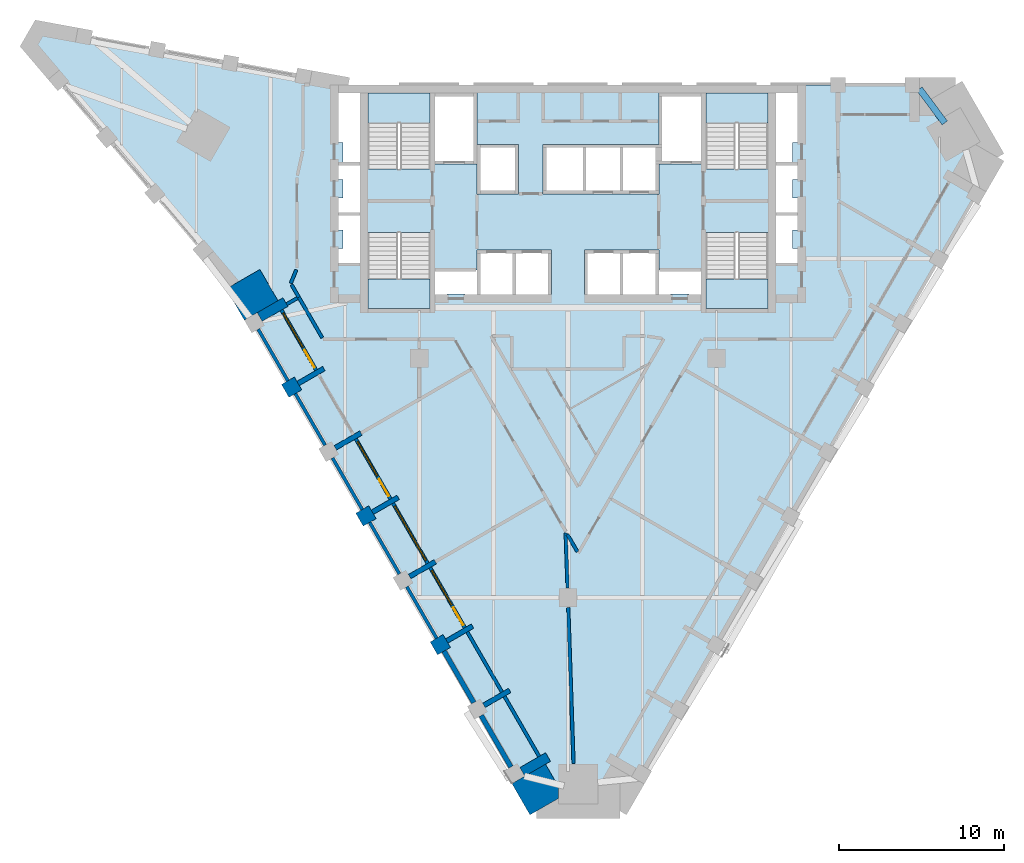
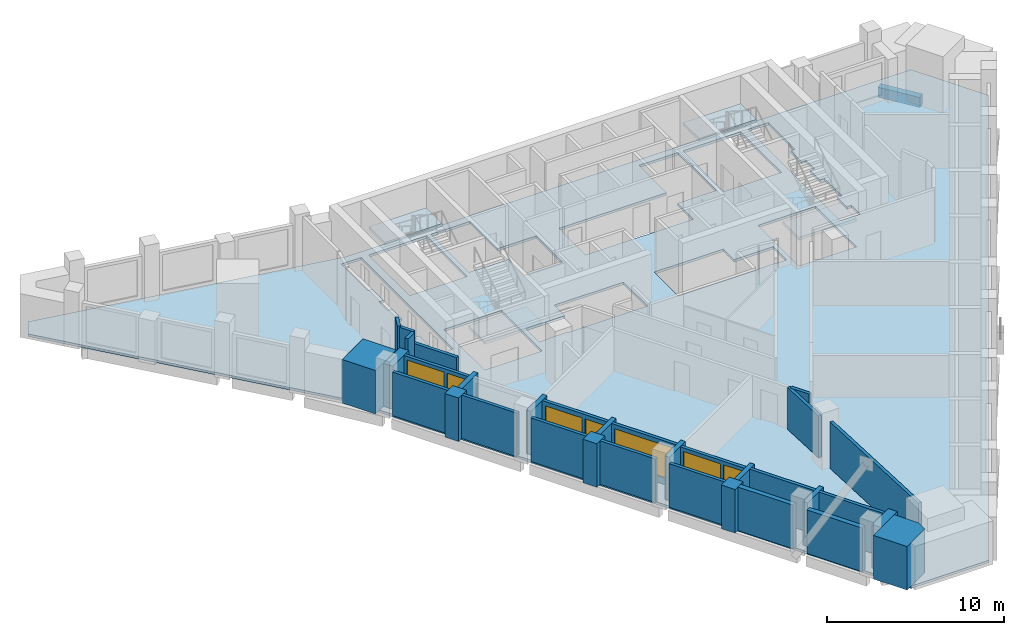
# One storey, part 2 of 9: 33 walls, 5 slabs, 4 windows, 3 doors, 1 beam, 7 openings, 4 elements without a shape of their own.
"""IFC4 building model written with IfcOpenShell, lengths in metres."""

from ifc_helpers import new_model, si_unit, direction, frame, frame_2d, origin, origin_2d, place, context, subcontext, project, spatial, polyline, rectangle, outline, extrude, material, layer, layer_set, material_profile, profile_set, type_object, element, fill, aggregate, save


model = new_model("IFC4")

# Units and contexts
model_context = context("Model", 3, precision=1e-05, world=origin(), true_north=direction((0.0, 1.0)))
body_context = subcontext(model_context, "Body", "Model", "MODEL_VIEW")
ifc_project = project(units=[si_unit("LENGTHUNIT", "METRE"), si_unit("AREAUNIT", "SQUARE_METRE"), si_unit("VOLUMEUNIT", "CUBIC_METRE"), si_unit("PLANEANGLEUNIT", "RADIAN"), si_unit("MASSUNIT", "GRAM", prefix="KILO")], contexts=[model_context])

# Site, building, storey
site_placement = place(None, origin())
site = spatial("IfcSite", under=ifc_project, at=site_placement, CompositionType="ELEMENT")
building_placement = place(site_placement, origin())
building = spatial("IfcBuilding", under=site, at=building_placement, Name="Calabash Gate Tower", CompositionType="ELEMENT")
storey_placement = place(building_placement, frame((0.0, 0.0, 219.800048828125)))
storey = spatial("IfcBuildingStorey", under=building, at=storey_placement, Name="L52", CompositionType="ELEMENT", Elevation=219.800048828125)

# Beam
ifc_material_1 = material(Name="Concrete C50/60", Category="concrete")
ifc_material_profile = material_profile(ifc_material_1, rectangle(XDim=0.39990234375, YDim=0.699951171875, at=origin_2d()))
ifc_profile_set = profile_set([ifc_material_profile], Name="Concrete C50/60")
beam_type = type_object("IfcBeamType", Name="Edge beam RC 400x700 Concrete C50/60", PredefinedType="BEAM", material=ifc_profile_set)
beam_placement = place(storey_placement, frame((22.81689453125, 16.75, -0.52001953125), z_axis=(-0.598451550505, 0.801158999012, 0.0), x_axis=(-0.801158999012, -0.598451550505, 0.0)))
element("IfcBeam", 1, at=beam_placement, inside=storey, type_object=beam_type, Name="Edge beam L52 12", PredefinedType="BEAM", context=body_context, shape_type="SweptSolid", body=[
    extrude(rectangle(XDim=0.39990234375, YDim=0.699951171875, at=origin_2d()), origin(), (0.0, 0.0, 1.0), 2.574951171875),
])

# Slab
ifc_material_2 = material(Name="Concrete C40/50", Category="concrete")
ifc_layer_1 = layer(ifc_material_2, 0.169921875)
ifc_layer_set_1 = layer_set([ifc_layer_1], Name="Composite floor slab 170 Concrete C40/50")
slab_type_1 = type_object("IfcSlabType", Name="Composite floor slab 170 Concrete C40/50", PredefinedType="FLOOR", material=ifc_layer_set_1)
slab_1_placement = place(storey_placement, frame((0.0, 0.0, -0.170166015625)))
element("IfcSlab", 2, at=slab_1_placement, inside=storey, type_object=slab_type_1, Name="Floor slab L52", PredefinedType="FLOOR", context=body_context, shape_type="SweptSolid", body=[
    extrude(outline(polyline([(3.157958984375, -24.915283203125), (-1.906005859375, -24.915283203125), (-20.291015625, 6.92822265625), (-32.620361328125, 21.43115234375), (-32.015625, 22.478515625), (-13.291015625, 19.052490234375), (23.478759765625, 19.052490234375), (26.0107421875, 14.6669921875), (3.157958984375, -24.915283203125)]), holes=[polyline([(-7.324951171875, 6.3525390625), (-7.324951171875, 6.402587890625), (-6.22509765625, 6.402587890625), (-6.22509765625, 6.3525390625), (-5.5, 6.3525390625), (-3.25, 6.3525390625), (-1.0, 6.3525390625), (-1.0, 9.052490234375), (-3.25, 9.052490234375), (-5.5, 9.052490234375), (-5.5, 7.8525390625), (-8.050048828125, 7.8525390625), (-8.050048828125, 6.3525390625), (-7.324951171875, 6.3525390625)]), polyline([(8.050048828125, 6.3525390625), (8.050048828125, 7.8525390625), (5.5, 7.8525390625), (5.5, 9.052490234375), (3.25, 9.052490234375), (1.0, 9.052490234375), (1.0, 6.3525390625), (3.25, 6.3525390625), (5.5, 6.3525390625), (6.22509765625, 6.3525390625), (6.22509765625, 6.402587890625), (7.324951171875, 6.402587890625), (7.324951171875, 6.3525390625), (8.050048828125, 6.3525390625)]), polyline([(-8.050048828125, 18.552490234375), (-8.050048828125, 14.252685546875), (-5.5, 14.252685546875), (-5.5, 12.45263671875), (-3.0, 12.45263671875), (-3.0, 15.45263671875), (-5.5, 15.45263671875), (-5.5, 18.552490234375), (-8.050048828125, 18.552490234375)]), polyline([(5.5, 14.252685546875), (8.050048828125, 14.252685546875), (8.050048828125, 18.552490234375), (5.5, 18.552490234375), (5.5, 15.45263671875), (3.25, 15.45263671875), (1.0, 15.45263671875), (-1.5, 15.45263671875), (-1.5, 12.45263671875), (1.0, 12.45263671875), (3.25, 12.45263671875), (5.5, 12.45263671875), (5.5, 14.252685546875)]), polyline([(-12.10009765625, 13.95263671875), (-8.35009765625, 13.95263671875), (-8.35009765625, 18.552490234375), (-12.10009765625, 18.552490234375), (-12.10009765625, 13.95263671875)]), polyline([(-8.35009765625, 5.502685546875), (-8.35009765625, 10.1025390625), (-12.10009765625, 10.1025390625), (-12.10009765625, 5.502685546875), (-8.35009765625, 5.502685546875)]), polyline([(12.10009765625, 18.552490234375), (8.35009765625, 18.552490234375), (8.35009765625, 13.95263671875), (12.10009765625, 13.95263671875), (12.10009765625, 18.552490234375)]), polyline([(8.35009765625, 10.1025390625), (8.35009765625, 5.502685546875), (12.10009765625, 5.502685546875), (12.10009765625, 10.1025390625), (8.35009765625, 10.1025390625)]), polyline([(-13.89990234375, 8.1826171875), (-12.60009765625, 8.1826171875), (-12.60009765625, 11.232666015625), (-12.60009765625, 14.28271484375), (-12.60009765625, 18.552490234375), (-13.89990234375, 18.552490234375), (-13.89990234375, 15.550048828125), (-13.60009765625, 15.550048828125), (-13.60009765625, 14.28271484375), (-13.89990234375, 14.28271484375), (-13.89990234375, 13.3076171875), (-13.60009765625, 13.3076171875), (-13.60009765625, 12.20751953125), (-13.89990234375, 12.20751953125), (-13.89990234375, 11.232666015625), (-13.89990234375, 10.257568359375), (-13.60009765625, 10.257568359375), (-13.60009765625, 9.15771484375), (-13.89990234375, 9.15771484375), (-13.89990234375, 8.1826171875)]), polyline([(13.60009765625, 9.15771484375), (13.60009765625, 10.257568359375), (13.89990234375, 10.257568359375), (13.89990234375, 11.232666015625), (13.89990234375, 12.20751953125), (13.60009765625, 12.20751953125), (13.60009765625, 13.3076171875), (13.89990234375, 13.3076171875), (13.89990234375, 14.28271484375), (13.60009765625, 14.28271484375), (13.60009765625, 15.550048828125), (13.89990234375, 15.550048828125), (13.89990234375, 18.552490234375), (12.60009765625, 18.552490234375), (12.60009765625, 14.28271484375), (12.60009765625, 11.232666015625), (12.60009765625, 8.1826171875), (13.89990234375, 8.1826171875), (13.89990234375, 9.15771484375), (13.60009765625, 9.15771484375)])]), origin(), (0.0, 0.0, 1.0), 0.170166015625),
])

# Stair, slab
ifc_material_3 = material(Name="Concrete C40/50", Category="concrete")
stair_type = type_object("IfcStairType", Name="Exit stair 22 risers of 177.3 mm", PredefinedType="HALF_TURN_STAIR", material=ifc_material_3)
stair_1_placement = place(storey_placement, origin())
stair_1 = element("IfcStair", 3, at=stair_1_placement, inside=storey, type_object=stair_type, Name="L52 Exit stair ST1", PredefinedType="HALF_TURN_STAIR")
ifc_material_4 = material(Name="Concrete C40/50", Category="concrete")
ifc_layer_2 = layer(ifc_material_4, 0.199951171875)
ifc_layer_set_2 = layer_set([ifc_layer_2], Name="Stair landing SL200")
slab_type_2 = type_object("IfcSlabType", Name="Stair landing SL200", PredefinedType="LANDING", material=ifc_layer_set_2)
slab_2_placement = place(storey_placement, frame((0.0, 0.0, 1.75)))
slab_2 = element("IfcSlab", 4, at=slab_2_placement, type_object=slab_type_2, Name="ST1 landing 1", PredefinedType="LANDING", context=body_context, shape_type="SweptSolid", body=[
    extrude(outline(polyline([(-8.35009765625, 16.74267578125), (-8.35009765625, 18.552490234375), (-12.10009765625, 18.552490234375), (-12.10009765625, 16.74267578125), (-8.35009765625, 16.74267578125)])), origin(), (0.0, 0.0, 1.0), 0.199951171875),
])
aggregate(stair_1, [slab_2])

stair_2_placement = place(storey_placement, origin())
stair_2 = element("IfcStair", 5, at=stair_2_placement, inside=storey, type_object=stair_type, Name="L52 Exit stair ST2", PredefinedType="HALF_TURN_STAIR")
slab_3_placement = place(storey_placement, frame((0.0, 0.0, 1.75)))
slab_3 = element("IfcSlab", 6, at=slab_3_placement, type_object=slab_type_2, Name="ST2 landing 1", PredefinedType="LANDING", context=body_context, shape_type="SweptSolid", body=[
    extrude(outline(polyline([(-12.10009765625, 7.3125), (-12.10009765625, 5.502685546875), (-8.35009765625, 5.502685546875), (-8.35009765625, 7.3125), (-12.10009765625, 7.3125)])), origin(), (0.0, 0.0, 1.0), 0.199951171875),
])
aggregate(stair_2, [slab_3])

stair_3_placement = place(storey_placement, origin())
stair_3 = element("IfcStair", 7, at=stair_3_placement, inside=storey, type_object=stair_type, Name="L52 Exit stair ST3", PredefinedType="HALF_TURN_STAIR")
slab_4_placement = place(storey_placement, frame((0.0, 0.0, 1.75)))
slab_4 = element("IfcSlab", 8, at=slab_4_placement, type_object=slab_type_2, Name="ST3 landing 1", PredefinedType="LANDING", context=body_context, shape_type="SweptSolid", body=[
    extrude(outline(polyline([(12.10009765625, 16.74267578125), (12.10009765625, 18.552490234375), (8.35009765625, 18.552490234375), (8.35009765625, 16.74267578125), (12.10009765625, 16.74267578125)])), origin(), (0.0, 0.0, 1.0), 0.199951171875),
])
aggregate(stair_3, [slab_4])

stair_4_placement = place(storey_placement, origin())
stair_4 = element("IfcStair", 9, at=stair_4_placement, inside=storey, type_object=stair_type, Name="L52 Exit stair ST4", PredefinedType="HALF_TURN_STAIR")
slab_5_placement = place(storey_placement, frame((0.0, 0.0, 1.75)))
slab_5 = element("IfcSlab", 10, at=slab_5_placement, type_object=slab_type_2, Name="ST4 landing 1", PredefinedType="LANDING", context=body_context, shape_type="SweptSolid", body=[
    extrude(outline(polyline([(8.35009765625, 7.3125), (8.35009765625, 5.502685546875), (12.10009765625, 5.502685546875), (12.10009765625, 7.3125), (8.35009765625, 7.3125)])), origin(), (0.0, 0.0, 1.0), 0.199951171875),
])
aggregate(stair_4, [slab_5])

# Walls
ifc_material_5 = material(Name="Terracotta brick masonry, exposed face", Category="masonry")
ifc_layer_3 = layer(ifc_material_5, 2.35009765625)
ifc_layer_set_3 = layer_set([ifc_layer_3], Name="Brick corner mass wall 2350")
wall_type_1 = type_object("IfcWallType", Name="Brick corner mass wall 2350", PredefinedType="SOLIDWALL", material=ifc_layer_set_3)
wall_1_placement = place(storey_placement, origin())
element("IfcWall", 11, at=wall_1_placement, inside=storey, type_object=wall_type_1, Name="Brick corner pier S15 1", PredefinedType="SOLIDWALL", context=body_context, shape_type="SweptSolid", body=[
    extrude(outline(polyline([(-19.588134765625, 4.81103515625), (-17.552978515625, 5.986083984375), (-18.6455078125, 7.878173828125), (-20.6806640625, 6.703125), (-19.588134765625, 4.81103515625)])), origin(), (0.0, 0.0, 1.0), 3.0),
])
wall_2_placement = place(storey_placement, origin())
element("IfcWall", 12, at=wall_2_placement, inside=storey, type_object=wall_type_1, Name="Brick corner pier S15 2a", PredefinedType="SOLIDWALL", context=body_context, shape_type="SweptSolid", body=[
    extrude(outline(polyline([(-0.573974609375, -23.422607421875), (-1.35302734375, -22.0732421875), (-3.38818359375, -23.248046875), (-2.2958984375, -25.14013671875), (-0.573974609375, -24.146240234375), (-0.573974609375, -23.422607421875)])), origin(), (0.0, 0.0, 1.0), 3.0),
])
ifc_material_6 = material(Name="Terracotta brick masonry, exposed face", Category="masonry")
ifc_layer_4 = layer(ifc_material_6, 0.89990234375)
ifc_layer_set_4 = layer_set([ifc_layer_4], Name="Brick end wall 900")
wall_type_2 = type_object("IfcWallType", Name="Brick end wall 900", PredefinedType="SOLIDWALL", material=ifc_layer_set_4)
for number, where, z_axis, x_axis, name in (
    (13, (-16.333740234375, 0.974365234375, 0.0), (0.0, 0.0, 1.0), (-0.865964261186, -0.500105887137, 0.0), "Brick pier S15 SW0.1"),
    (14, (-11.833740234375, -6.820068359375, 0.0), (0.0, 0.0, 1.0), (-0.866081705922, -0.499902469156, 0.0), "Brick pier S15 SW0.3"),
    (15, (-8.11328125, -15.064208984375, 0.0), (0.0, 0.0, 1.0), (0.866081705922, 0.499902469156, 0.0), "Brick pier S15 SW0.5"),
):
    element("IfcWall", number, at=place(storey_placement, frame(where, z_axis=z_axis, x_axis=x_axis)), inside=storey, type_object=wall_type_2, Name=name, PredefinedType="SOLIDWALL", context=body_context, shape_type="SweptSolid", body=[
        extrude(rectangle(XDim=0.900146484375, YDim=0.89990234375, at=frame_2d((0.4501953125, 0.0))), origin(), (0.0, 0.0, 1.0), 3.0),
    ])
ifc_material_7 = material(Name="Terracotta brick masonry, exposed face", Category="masonry")
ifc_layer_5 = layer(ifc_material_7, 0.300048828125)
ifc_layer_set_5 = layer_set([ifc_layer_5], Name="Brick infill panel wall 300")
wall_type_3 = type_object("IfcWallType", Name="Brick infill panel wall 300", PredefinedType="SOLIDWALL", material=ifc_layer_set_5)
for number, where, z_axis, x_axis, name in (
    (16, (-5.69873046875, -18.34619140625, 0.0), (0.0, 0.0, 1.0), (-0.50001992892, 0.866013897511, 0.0), "Brick panel S15 SW0.6"),
    (17, (-3.44873046875, -22.2431640625, 0.0), (0.0, 0.0, 1.0), (-0.50001992892, 0.866013897511, 0.0), "Brick panel S15 SW0.7"),
):
    element("IfcWall", number, at=place(storey_placement, frame(where, z_axis=z_axis, x_axis=x_axis)), inside=storey, type_object=wall_type_3, Name=name, PredefinedType="SOLIDWALL", context=body_context, shape_type="SweptSolid", body=[
        extrude(rectangle(XDim=3.599365234375, YDim=0.300048828125, at=frame_2d((1.7998046875, 0.0))), origin(), (0.0, 0.0, 1.0), 3.0),
    ])
ifc_material_8 = material(Name="Terracotta brick masonry, exposed face", Category="masonry")
ifc_layer_6 = layer(ifc_material_8, 0.300048828125)
ifc_layer_set_6 = layer_set([ifc_layer_6], Name="Brick loggia cheek wall 300")
wall_type_4 = type_object("IfcWallType", Name="Brick loggia cheek wall 300", PredefinedType="SOLIDWALL", material=ifc_layer_set_6)
wall_3_placement = place(storey_placement, frame((-18.65869140625, 5.001220703125, 0.0), z_axis=(0.0, 0.0, 1.0), x_axis=(0.865989075817, 0.500062916607, 0.0)))
element("IfcWall", 18, at=wall_3_placement, inside=storey, type_object=wall_type_4, Name="Loggia cheek S15 SW0.0", PredefinedType="SOLIDWALL", context=body_context, shape_type="SweptSolid", body=[
    extrude(rectangle(XDim=1.800048828125, YDim=0.60009765625, at=frame_2d((0.89990234375, 0.0))), origin(), (0.0, 0.0, 1.0), 2.949951171875),
])
for number, where, z_axis, x_axis, name in (
    (19, (-16.333740234375, 0.974365234375, 0.0), (0.0, 0.0, 1.0), (0.866047807691, 0.499961193289, 0.0), "Loggia cheek S15 SW0.1"),
    (20, (-14.083740234375, -2.9228515625, 0.0), (0.0, 0.0, 1.0), (0.866047807691, 0.499961193289, 0.0), "Loggia cheek S15 SW0.2"),
    (21, (-11.833740234375, -6.820068359375, 0.0), (0.0, 0.0, 1.0), (0.865989075817, 0.500062916607, 0.0), "Loggia cheek S15 SW0.3"),
    (22, (-9.583740234375, -10.717041015625, 0.0), (0.0, 0.0, 1.0), (0.866047807691, 0.499961193289, 0.0), "Loggia cheek S15 SW0.4"),
    (23, (-7.333740234375, -14.6142578125, 0.0), (0.0, 0.0, 1.0), (0.865989075817, 0.500062916607, 0.0), "Loggia cheek S15 SW0.5"),
    (24, (-5.083740234375, -18.51123046875, 0.0), (0.0, 0.0, 1.0), (0.866047807691, 0.499961193289, 0.0), "Loggia cheek S15 SW0.6"),
):
    element("IfcWall", number, at=place(storey_placement, frame(where, z_axis=z_axis, x_axis=x_axis)), inside=storey, type_object=wall_type_4, Name=name, PredefinedType="SOLIDWALL", context=body_context, shape_type="SweptSolid", body=[
        extrude(rectangle(XDim=1.800048828125, YDim=0.300048828125, at=frame_2d((0.89990234375, 0.0))), origin(), (0.0, 0.0, 1.0), 3.0),
    ])
wall_4_placement = place(storey_placement, frame((-2.7587890625, -22.538330078125, 0.0), z_axis=(0.0, 0.0, 1.0), x_axis=(0.866047807691, 0.499961193289, 0.0)))
element("IfcWall", 25, at=wall_4_placement, inside=storey, type_object=wall_type_4, Name="Loggia cheek S15 SW0.7", PredefinedType="SOLIDWALL", context=body_context, shape_type="SweptSolid", body=[
    extrude(rectangle(XDim=1.800048828125, YDim=0.60009765625, at=frame_2d((0.89990234375, 0.0))), origin(), (0.0, 0.0, 1.0), 3.0),
])
ifc_material_9 = material(Name="Gypsum board on steel studs, mineral wool", Category="steel")
ifc_layer_7 = layer(ifc_material_9, 0.199951171875)
ifc_layer_set_7 = layer_set([ifc_layer_7], Name="Partition 200 gypsum board EI 60")
wall_type_5 = type_object("IfcWallType", Name="Partition 200 gypsum board EI 60", PredefinedType="PARTITIONING", material=ifc_layer_set_7)
wall_5_placement = place(storey_placement, frame((0.020263671875, -12.60009765625, 0.0), z_axis=(0.0, 0.0, 1.0), x_axis=(0.033928355038, -0.999424267628, 0.0)))
element("IfcWall", 26, at=wall_5_placement, inside=storey, type_object=wall_type_5, Name="Partition", PredefinedType="PARTITIONING", context=body_context, shape_type="SweptSolid", body=[
    extrude(rectangle(XDim=9.43359375, YDim=0.199951171875, at=frame_2d((4.716796875, 0.0))), origin(), (0.0, 0.0, 1.0), 3.201904296875),
])
wall_6_placement = place(storey_placement, frame((-0.134033203125, -8.07958984375, 0.0), z_axis=(0.0, 0.0, 1.0), x_axis=(0.034171208609, -0.999415993719, 0.0)))
element("IfcWall", 27, at=wall_6_placement, inside=storey, type_object=wall_type_5, Name="Partition", PredefinedType="PARTITIONING", context=body_context, shape_type="SweptSolid", body=[
    extrude(rectangle(XDim=3.322265625, YDim=0.199951171875, at=frame_2d((1.6611328125, 0.0))), origin(), (0.0, 0.0, 1.0), 2.884033203125),
])
wall_7_placement = place(storey_placement, frame((-0.031005859375, -8.163818359375, 0.0), z_axis=(0.0, 0.0, 1.0), x_axis=(0.500314465278, -0.865843771031, 0.0)))
element("IfcWall", 28, at=wall_7_placement, inside=storey, type_object=wall_type_5, Name="Partition", PredefinedType="PARTITIONING", context=body_context, shape_type="SweptSolid", body=[
    extrude(rectangle(XDim=1.213623046875, YDim=0.199951171875, at=frame_2d((0.60693359375, 0.0))), origin(), (0.0, 0.0, 1.0), 2.884033203125),
])
wall_8_placement = place(storey_placement, frame((-16.29052734375, 6.1953125, 0.0), z_axis=(0.0, 0.0, 1.0), x_axis=(0.500432411893, -0.865775606683, 0.0)))
element("IfcWall", 29, at=wall_8_placement, inside=storey, type_object=wall_type_5, Name="Partition", PredefinedType="PARTITIONING", context=body_context, shape_type="SweptSolid", body=[
    extrude(rectangle(XDim=2.83740234375, YDim=0.199951171875, at=frame_2d((1.418701171875, 0.0))), origin(), (0.0, 0.0, 1.0), 2.949951171875),
])
wall_9_placement = place(storey_placement, frame((-17.02490234375, 5.771240234375, 0.0), z_axis=(0.0, 0.0, 1.0), x_axis=(0.86713847007, 0.498067137768, 0.0)))
element("IfcWall", 30, at=wall_9_placement, inside=storey, type_object=wall_type_5, Name="Partition", PredefinedType="PARTITIONING", context=body_context, shape_type="SweptSolid", body=[
    extrude(rectangle(XDim=0.74951171875, YDim=0.199951171875, at=frame_2d((0.374755859375, 0.0))), origin(), (0.0, 0.0, 1.0), 3.72998046875),
])
wall_10_placement = place(storey_placement, frame((-16.7265625, 6.953125, 0.0), z_axis=(0.0, 0.0, 1.0), x_axis=(0.498722930898, -0.86676146557, 0.0)))
element("IfcWall", 31, at=wall_10_placement, inside=storey, type_object=wall_type_5, Name="Partition", PredefinedType="PARTITIONING", context=body_context, shape_type="SweptSolid", body=[
    extrude(rectangle(XDim=0.874267578125, YDim=0.199951171875, at=frame_2d((0.43701171875, 0.0))), origin(), (0.0, 0.0, 1.0), 3.72998046875),
])
wall_11_placement = place(storey_placement, frame((-16.7763671875, 7.039794921875, 0.0), z_axis=(0.0, 0.0, 1.0), x_axis=(0.380625221286, 0.924729387941, 0.0)))
element("IfcWall", 32, at=wall_11_placement, inside=storey, type_object=wall_type_5, Name="Partition", PredefinedType="PARTITIONING", context=body_context, shape_type="SweptSolid", body=[
    extrude(rectangle(XDim=0.886962890625, YDim=0.199951171875, at=frame_2d((0.443359375, 0.0))), origin(), (0.0, 0.0, 1.0), 3.72998046875),
])
ifc_material_10 = material(Name="Terracotta brick masonry, perforated", Category="masonry")
ifc_layer_8 = layer(ifc_material_10, 0.199951171875)
ifc_layer_set_8 = layer_set([ifc_layer_8], Name="Terracotta jaali screen A")
wall_type_6 = type_object("IfcWallType", Name="Terracotta jaali screen A", PredefinedType="SOLIDWALL", material=ifc_layer_set_8)
for number, where, z_axis, x_axis, name in (
    (33, (-18.74853515625, 4.256591796875, 0.0), (0.0, 0.0, 1.0), (0.500012057535, -0.866018442252, 0.0), "SCREEN A S15 SW0.1"),
    (34, (-16.49853515625, 0.359619140625, 0.0), (0.0, 0.0, 1.0), (0.500012057535, -0.866018442252, 0.0), "SCREEN A S15 SW0.2"),
    (35, (-14.24853515625, -3.53759765625, 0.0), (0.0, 0.0, 1.0), (0.500012057535, -0.866018442252, 0.0), "SCREEN A S15 SW0.3"),
):
    element("IfcWall", number, at=place(storey_placement, frame(where, z_axis=z_axis, x_axis=x_axis)), inside=storey, type_object=wall_type_6, Name=name, PredefinedType="SOLIDWALL", context=body_context, shape_type="SweptSolid", body=[
        extrude(rectangle(XDim=3.60009765625, YDim=0.199951171875, at=frame_2d((1.800048828125, 0.0))), origin(), (0.0, 0.0, 1.0), 3.0),
    ])
wall_12_placement = place(storey_placement, frame((-11.99853515625, -7.4345703125, 0.0), z_axis=(0.0, 0.0, 1.0), x_axis=(0.499982693035, -0.866035395735, 0.0)))
element("IfcWall", 36, at=wall_12_placement, inside=storey, type_object=wall_type_6, Name="SCREEN A S15 SW0.4", PredefinedType="SOLIDWALL", context=body_context, shape_type="SweptSolid", body=[
    extrude(rectangle(XDim=3.600341796875, YDim=0.199951171875, at=frame_2d((1.80029296875, 0.0))), origin(), (0.0, 0.0, 1.0), 3.0),
])
wall_13_placement = place(storey_placement, frame((-9.74853515625, -11.331787109375, 0.0), z_axis=(0.0, 0.0, 1.0), x_axis=(0.500012057535, -0.866018442252, 0.0)))
element("IfcWall", 37, at=wall_13_placement, inside=storey, type_object=wall_type_6, Name="SCREEN A S15 SW0.5", PredefinedType="SOLIDWALL", context=body_context, shape_type="SweptSolid", body=[
    extrude(rectangle(XDim=3.60009765625, YDim=0.199951171875, at=frame_2d((1.800048828125, 0.0))), origin(), (0.0, 0.0, 1.0), 3.0),
])

# Wall, openings, door, window
ifc_material_11 = material(Name="Aluminium framed window wall with insulated spandrel", Category="aluminium")
ifc_layer_9 = layer(ifc_material_11, 0.199951171875)
ifc_layer_set_9 = layer_set([ifc_layer_9], Name="Window wall 200")
wall_type_7 = type_object("IfcWallType", Name="Window wall 200", PredefinedType="ELEMENTEDWALL", material=ifc_layer_set_9)
wall_14_placement = place(storey_placement, frame((-17.339599609375, 5.41650390625, 0.0), z_axis=(0.0, 0.0, 1.0), x_axis=(0.499958946799, -0.866049104564, 0.0)))
wall_14 = element("IfcWall", 38, at=wall_14_placement, inside=storey, type_object=wall_type_7, Name="Window wall S15 SW0.1", PredefinedType="ELEMENTEDWALL", context=body_context, shape_type="SweptSolid", body=[
    extrude(rectangle(XDim=4.199951171875, YDim=0.199951171875, at=frame_2d((2.10009765625, 0.0))), origin(), (0.0, 0.0, 1.0), 2.949951171875),
])
opening_1_placement = place(wall_14_placement, frame((0.199951171875, 0.0, 0.449951171875)))
opening_1 = element("IfcOpeningElement", 39, at=opening_1_placement, cuts=wall_14, Name="Opening OW1", PredefinedType="OPENING", context=body_context, shape_type="SweptSolid", body=[
    extrude(rectangle(XDim=2.39990234375, YDim=2.25, at=frame_2d((1.199951171875, 1.125))), frame((0.0, 0.10986328125, 0.0), z_axis=(0.0, -1.0, 0.0), x_axis=(1.0, 0.0, 0.0)), (0.0, 0.0, 1.0), 0.219970703125),
])
opening_2_placement = place(wall_14_placement, frame((2.800048828125, 0.0, 0.0)))
opening_2 = element("IfcOpeningElement", 40, at=opening_2_placement, cuts=wall_14, Name="Opening O7-025", PredefinedType="OPENING", context=body_context, shape_type="SweptSolid", body=[
    extrude(rectangle(XDim=1.199951171875, YDim=2.699951171875, at=frame_2d((0.60009765625, 1.35009765625))), frame((0.0, 0.10986328125, 0.0), z_axis=(0.0, -1.0, 0.0), x_axis=(1.0, 0.0, 0.0)), (0.0, 0.0, 1.0), 0.219970703125),
])
ifc_material_12 = material(Name="Anodised aluminium frame, bronze finish, impact-rated laminated clear glazing", Category="aluminium")
door_type = type_object("IfcDoorType", Name="Loggia door DO1 1200x2700", OperationType="SLIDING_TO_LEFT", PredefinedType="DOOR", material=ifc_material_12)
door_1_placement = place(opening_2_placement, origin())
door_1 = element("IfcDoor", 41, at=door_1_placement, inside=storey, type_object=door_type, Name="Loggia door S15 SW0.1", OperationType="SINGLE_SWING_LEFT", OverallHeight=2.699951171875, OverallWidth=1.199951171875, PredefinedType="DOOR", context=body_context, shape_type="SweptSolid", body=[
    extrude(rectangle(XDim=1.199951171875, YDim=2.699951171875, at=frame_2d((0.60009765625, 1.35009765625))), frame((0.0, 0.02490234375, 0.0), z_axis=(0.0, -1.0, 0.0), x_axis=(1.0, 0.0, 0.0)), (0.0, 0.0, 1.0), 0.050048828125),
])
fill(opening_2, door_1)
ifc_material_13 = material(Name="Anodised aluminium frame, bronze finish, impact-rated laminated clear glazing", Category="aluminium")
window_type_1 = type_object("IfcWindowType", Name="Window OW1 2400x2250", PartitioningType="DOUBLE_PANEL_VERTICAL", PredefinedType="WINDOW", material=ifc_material_13)
window_1_placement = place(opening_1_placement, origin())
window_1 = element("IfcWindow", 42, at=window_1_placement, inside=storey, type_object=window_type_1, Name="Window OW1 S15 SW0.1", OverallHeight=2.25, OverallWidth=2.39990234375, PartitioningType="SINGLE_PANEL", PredefinedType="WINDOW", context=body_context, shape_type="SweptSolid", body=[
    extrude(rectangle(XDim=2.39990234375, YDim=2.25, at=frame_2d((1.199951171875, 1.125))), frame((0.0, 0.030029296875, 0.0), z_axis=(0.0, -1.0, 0.0), x_axis=(1.0, 0.0, 0.0)), (0.0, 0.0, 1.0), 0.06005859375),
])
fill(opening_1, window_1)

wall_15_placement = place(storey_placement, frame((-12.839599609375, -2.377685546875, 0.0), z_axis=(0.0, 0.0, 1.0), x_axis=(0.499958946799, -0.866049104564, 0.0)))
wall_15 = element("IfcWall", 43, at=wall_15_placement, inside=storey, type_object=wall_type_7, Name="Window wall S15 SW0.3", PredefinedType="ELEMENTEDWALL", context=body_context, shape_type="SweptSolid", body=[
    extrude(rectangle(XDim=4.199951171875, YDim=0.199951171875, at=frame_2d((2.10009765625, 0.0))), origin(), (0.0, 0.0, 1.0), 3.0),
])
opening_3_placement = place(wall_15_placement, frame((0.199951171875, 0.0, 0.449951171875)))
opening_3 = element("IfcOpeningElement", 44, at=opening_3_placement, cuts=wall_15, Name="Opening OW1", PredefinedType="OPENING", context=body_context, shape_type="SweptSolid", body=[
    extrude(rectangle(XDim=2.39990234375, YDim=2.25, at=frame_2d((1.199951171875, 1.125))), frame((0.0, 0.10986328125, 0.0), z_axis=(0.0, -1.0, 0.0), x_axis=(1.0, 0.0, 0.0)), (0.0, 0.0, 1.0), 0.219970703125),
])
opening_4_placement = place(wall_15_placement, frame((2.800048828125, 0.0, 0.0)))
opening_4 = element("IfcOpeningElement", 45, at=opening_4_placement, cuts=wall_15, Name="Opening O7-026", PredefinedType="OPENING", context=body_context, shape_type="SweptSolid", body=[
    extrude(rectangle(XDim=1.199951171875, YDim=2.699951171875, at=frame_2d((0.60009765625, 1.35009765625))), frame((0.0, 0.10986328125, 0.0), z_axis=(0.0, -1.0, 0.0), x_axis=(1.0, 0.0, 0.0)), (0.0, 0.0, 1.0), 0.219970703125),
])
door_2_placement = place(opening_4_placement, origin())
door_2 = element("IfcDoor", 46, at=door_2_placement, inside=storey, type_object=door_type, Name="Loggia door S15 SW0.3", OperationType="SINGLE_SWING_LEFT", OverallHeight=2.699951171875, OverallWidth=1.199951171875, PredefinedType="DOOR", context=body_context, shape_type="SweptSolid", body=[
    extrude(rectangle(XDim=1.199951171875, YDim=2.699951171875, at=frame_2d((0.60009765625, 1.35009765625))), frame((0.0, 0.02490234375, 0.0), z_axis=(0.0, -1.0, 0.0), x_axis=(1.0, 0.0, 0.0)), (0.0, 0.0, 1.0), 0.050048828125),
])
fill(opening_4, door_2)
window_2_placement = place(opening_3_placement, origin())
window_2 = element("IfcWindow", 47, at=window_2_placement, inside=storey, type_object=window_type_1, Name="Window OW1 S15 SW0.3", OverallHeight=2.25, OverallWidth=2.39990234375, PartitioningType="SINGLE_PANEL", PredefinedType="WINDOW", context=body_context, shape_type="SweptSolid", body=[
    extrude(rectangle(XDim=2.39990234375, YDim=2.25, at=frame_2d((1.199951171875, 1.125))), frame((0.0, 0.030029296875, 0.0), z_axis=(0.0, -1.0, 0.0), x_axis=(1.0, 0.0, 0.0)), (0.0, 0.0, 1.0), 0.06005859375),
])
fill(opening_3, window_2)

# Wall, opening, window
wall_16_placement = place(storey_placement, frame((-10.589599609375, -6.27490234375, 0.0), z_axis=(0.0, 0.0, 1.0), x_axis=(0.49998411664, -0.866034573852, 0.0)))
wall_16 = element("IfcWall", 48, at=wall_16_placement, inside=storey, type_object=wall_type_7, Name="Window wall S15 SW0.4", PredefinedType="ELEMENTEDWALL", context=body_context, shape_type="SweptSolid", body=[
    extrude(rectangle(XDim=4.199951171875, YDim=0.199951171875, at=frame_2d((2.10009765625, 0.0))), origin(), (0.0, 0.0, 1.0), 3.0),
])
opening_5_placement = place(wall_16_placement, frame((0.199951171875, 0.0, 0.449951171875)))
opening_5 = element("IfcOpeningElement", 49, at=opening_5_placement, cuts=wall_16, Name="Opening OW2", PredefinedType="OPENING", context=body_context, shape_type="SweptSolid", body=[
    extrude(rectangle(XDim=3.800048828125, YDim=2.25, at=frame_2d((1.89990234375, 1.125))), frame((0.0, 0.10986328125, 0.0), z_axis=(0.0, -1.0, 0.0), x_axis=(1.0, 0.0, 0.0)), (0.0, 0.0, 1.0), 0.219970703125),
])
ifc_material_14 = material(Name="Anodised aluminium frame, bronze finish, impact-rated laminated clear glazing", Category="aluminium")
window_type_2 = type_object("IfcWindowType", Name="Window OW2 3800x2250", PartitioningType="TRIPLE_PANEL_VERTICAL", PredefinedType="WINDOW", material=ifc_material_14)
window_3_placement = place(opening_5_placement, origin())
window_3 = element("IfcWindow", 50, at=window_3_placement, inside=storey, type_object=window_type_2, Name="Window OW2 S15 SW0.4", OverallHeight=2.25, OverallWidth=3.800048828125, PartitioningType="SINGLE_PANEL", PredefinedType="WINDOW", context=body_context, shape_type="SweptSolid", body=[
    extrude(rectangle(XDim=3.800048828125, YDim=2.25, at=frame_2d((1.89990234375, 1.125))), frame((0.0, 0.030029296875, 0.0), z_axis=(0.0, -1.0, 0.0), x_axis=(1.0, 0.0, 0.0)), (0.0, 0.0, 1.0), 0.06005859375),
])
fill(opening_5, window_3)

# Wall, openings, door, window
wall_17_placement = place(storey_placement, frame((-8.339599609375, -10.171875, 0.0), z_axis=(0.0, 0.0, 1.0), x_axis=(0.499958946799, -0.866049104564, 0.0)))
wall_17 = element("IfcWall", 51, at=wall_17_placement, inside=storey, type_object=wall_type_7, Name="Window wall S15 SW0.5", PredefinedType="ELEMENTEDWALL", context=body_context, shape_type="SweptSolid", body=[
    extrude(rectangle(XDim=4.199951171875, YDim=0.199951171875, at=frame_2d((2.10009765625, 0.0))), origin(), (0.0, 0.0, 1.0), 2.949951171875),
])
opening_6_placement = place(wall_17_placement, frame((0.199951171875, 0.0, 0.449951171875)))
opening_6 = element("IfcOpeningElement", 52, at=opening_6_placement, cuts=wall_17, Name="Opening OW1", PredefinedType="OPENING", context=body_context, shape_type="SweptSolid", body=[
    extrude(rectangle(XDim=2.39990234375, YDim=2.25, at=frame_2d((1.199951171875, 1.125))), frame((0.0, 0.10986328125, 0.0), z_axis=(0.0, -1.0, 0.0), x_axis=(1.0, 0.0, 0.0)), (0.0, 0.0, 1.0), 0.219970703125),
])
opening_7_placement = place(wall_17_placement, frame((2.800048828125, 0.0, 0.0)))
opening_7 = element("IfcOpeningElement", 53, at=opening_7_placement, cuts=wall_17, Name="Opening O7-027", PredefinedType="OPENING", context=body_context, shape_type="SweptSolid", body=[
    extrude(rectangle(XDim=1.199951171875, YDim=2.699951171875, at=frame_2d((0.60009765625, 1.35009765625))), frame((0.0, 0.10986328125, 0.0), z_axis=(0.0, -1.0, 0.0), x_axis=(1.0, 0.0, 0.0)), (0.0, 0.0, 1.0), 0.219970703125),
])
door_3_placement = place(opening_7_placement, origin())
door_3 = element("IfcDoor", 54, at=door_3_placement, inside=storey, type_object=door_type, Name="Loggia door S15 SW0.5", OperationType="SINGLE_SWING_LEFT", OverallHeight=2.699951171875, OverallWidth=1.199951171875, PredefinedType="DOOR", context=body_context, shape_type="SweptSolid", body=[
    extrude(rectangle(XDim=1.199951171875, YDim=2.699951171875, at=frame_2d((0.60009765625, 1.35009765625))), frame((0.0, 0.02490234375, 0.0), z_axis=(0.0, -1.0, 0.0), x_axis=(1.0, 0.0, 0.0)), (0.0, 0.0, 1.0), 0.050048828125),
])
fill(opening_7, door_3)
window_4_placement = place(opening_6_placement, origin())
window_4 = element("IfcWindow", 55, at=window_4_placement, inside=storey, type_object=window_type_1, Name="Window OW1 S15 SW0.5", OverallHeight=2.25, OverallWidth=2.39990234375, PartitioningType="SINGLE_PANEL", PredefinedType="WINDOW", context=body_context, shape_type="SweptSolid", body=[
    extrude(rectangle(XDim=2.39990234375, YDim=2.25, at=frame_2d((1.199951171875, 1.125))), frame((0.0, 0.030029296875, 0.0), z_axis=(0.0, -1.0, 0.0), x_axis=(1.0, 0.0, 0.0)), (0.0, 0.0, 1.0), 0.06005859375),
])
fill(opening_6, window_4)

# Walls
for number, where, z_axis, x_axis, name in (
    (56, (-6.089599609375, -14.069091796875, 0.0), (0.0, 0.0, 1.0), (0.49998411664, -0.866034573852, 0.0), "Window wall S15 SW0.6"),
    (57, (-3.839599609375, -17.96630859375, 0.0), (0.0, 0.0, 1.0), (0.49998411664, -0.866034573852, 0.0), "Window wall S15 SW0.7"),
):
    element("IfcWall", number, at=place(storey_placement, frame(where, z_axis=z_axis, x_axis=x_axis)), inside=storey, type_object=wall_type_7, Name=name, PredefinedType="ELEMENTEDWALL", context=body_context, shape_type="SweptSolid", body=[
        extrude(rectangle(XDim=4.199951171875, YDim=0.199951171875, at=frame_2d((2.10009765625, 0.0))), origin(), (0.0, 0.0, 1.0), 3.0),
    ])

save(model, "model.ifc")
